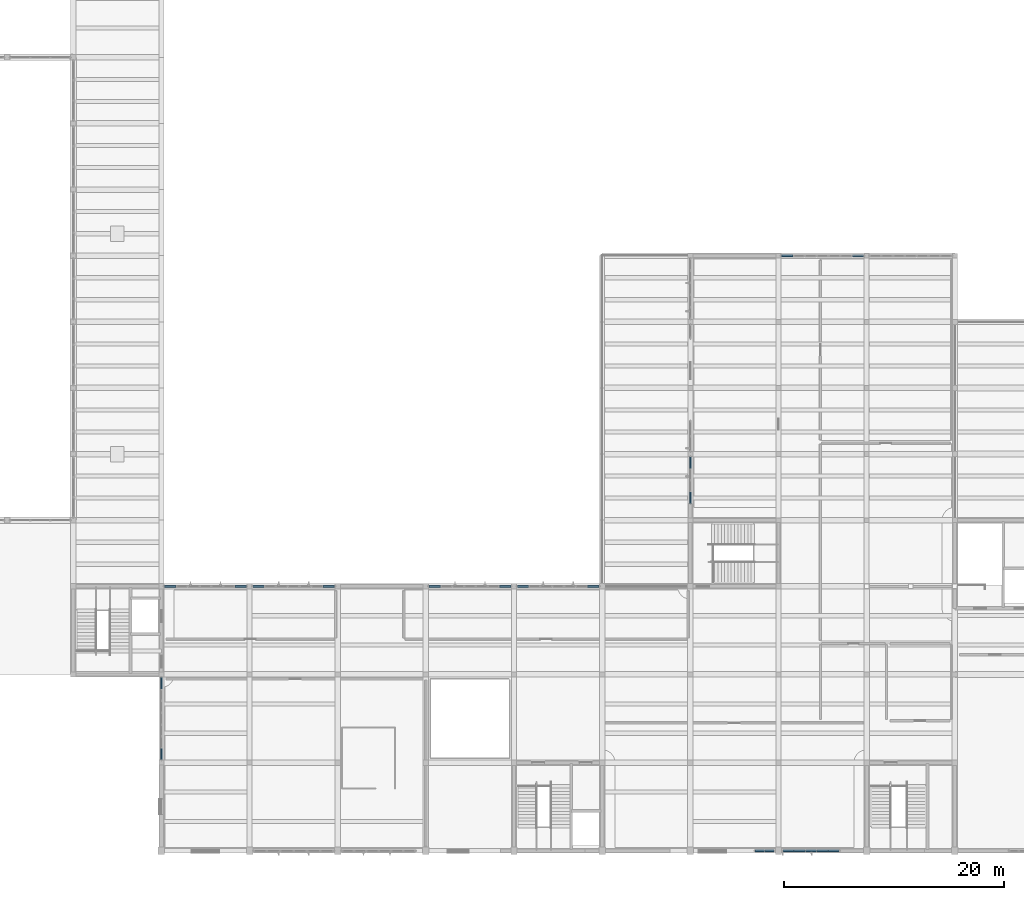
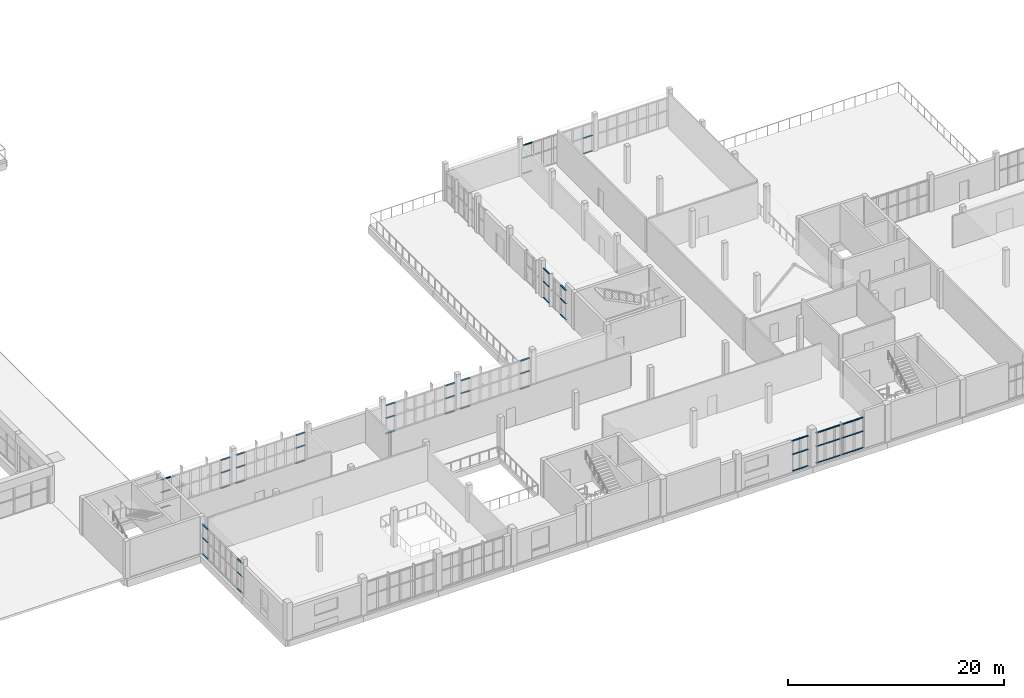
# One storey, part 36 of 70: 62 members, 9 elements without a shape of their own.
"""IFC4 building model written with IfcOpenShell, lengths in metres."""

from ifc_helpers import new_model, si_unit, direction, frame, origin, origin_2d, place, context, subcontext, project, spatial, rectangle, extrude, material, layer, layer_set, material_profile, profile_set, type_object, element, aggregate, save


model = new_model("IFC4")

# Units and contexts
model_context = context("Model", 3, precision=1e-05, world=origin(), true_north=direction((0.0, 1.0)))
body_context = subcontext(model_context, "Body", "Model", "MODEL_VIEW")
ifc_project = project(units=[si_unit("LENGTHUNIT", "METRE"), si_unit("AREAUNIT", "SQUARE_METRE"), si_unit("VOLUMEUNIT", "CUBIC_METRE"), si_unit("PLANEANGLEUNIT", "RADIAN"), si_unit("MASSUNIT", "GRAM", prefix="KILO")], contexts=[model_context])

# Site, building, storey
site_placement = place(None, origin())
site = spatial("IfcSite", under=ifc_project, at=site_placement, CompositionType="ELEMENT")
building_placement = place(site_placement, origin())
building = spatial("IfcBuilding", under=site, at=building_placement, Name="Solvane Community Centre", CompositionType="ELEMENT")
storey_placement = place(building_placement, frame((0.0, 0.0, 9.60009765625)))
storey = spatial("IfcBuildingStorey", under=building, at=storey_placement, Name="L02", CompositionType="ELEMENT", Elevation=9.60009765625)

# Curtain wall, members
ifc_material = material(Name="Anodised bronze aluminium AW-6063 T6", Category="aluminium")
ifc_layer_1 = layer(ifc_material, 0.18994140625)
ifc_layer_set_1 = layer_set([ifc_layer_1], Name="Anodised bronze aluminium AW-6063 T6")
curtain_wall_type_1 = type_object("IfcCurtainWallType", Name="Boulevard Bronze Vision Curtain Wall [52x34dm]", PredefinedType="NOTDEFINED", material=ifc_layer_set_1)
curtain_wall_1_placement = place(storey_placement, origin())
curtain_wall_1 = element("IfcCurtainWall", 1, at=curtain_wall_1_placement, inside=storey, type_object=curtain_wall_type_1, Name="Curtain Wall CW-L02-1295_60-187", PredefinedType="NOTDEFINED")
ifc_material_profile = material_profile(ifc_material, rectangle(XDim=0.14990234375, YDim=0.06005859375, at=origin_2d()), Name="CW-T 60x150")
ifc_profile_set = profile_set([ifc_material_profile], Name="Anodised bronze aluminium AW-6063 T6")
member_type = type_object("IfcMemberType", Name="Boulevard Transom 60x150", PredefinedType="USERDEFINED", material=ifc_profile_set)
member_1_placement = place(storey_placement, frame((129.478515625, 6.0, 0.02978515625), z_axis=(-1.0, 0.0, 0.0), x_axis=(0.0, -1.0, 0.0)))
member_1 = element("IfcMember", 2, at=member_1_placement, type_object=member_type, Name="CW02-52x34 transom 1.1", ObjectType="TRANSOM", PredefinedType="USERDEFINED", context=body_context, shape_type="SweptSolid", body=[
    extrude(rectangle(XDim=0.14990234375, YDim=0.06005859375, at=origin_2d()), origin(), (0.0, 0.0, 1.0), 0.94677734375),
])
member_2_placement = place(storey_placement, frame((129.478515625, 6.0, 1.89501953125), z_axis=(-1.0, 0.0, 0.0), x_axis=(0.0, -1.0, 0.0)))
member_2 = element("IfcMember", 3, at=member_2_placement, type_object=member_type, Name="CW02-52x34 transom 1.2", ObjectType="TRANSOM", PredefinedType="USERDEFINED", context=body_context, shape_type="SweptSolid", body=[
    extrude(rectangle(XDim=0.14990234375, YDim=0.06005859375, at=origin_2d()), origin(), (0.0, 0.0, 1.0), 0.94677734375),
])
member_3_placement = place(storey_placement, frame((129.478515625, 6.0, 3.414794921875), z_axis=(-1.0, 0.0, 0.0), x_axis=(0.0, -1.0, 0.0)))
member_3 = element("IfcMember", 4, at=member_3_placement, type_object=member_type, Name="CW02-52x34 transom 1.3", ObjectType="TRANSOM", PredefinedType="USERDEFINED", context=body_context, shape_type="SweptSolid", body=[
    extrude(rectangle(XDim=0.14990234375, YDim=0.06005859375, at=origin_2d()), origin(), (0.0, 0.0, 1.0), 0.94677734375),
])
member_4_placement = place(storey_placement, frame((128.4716796875, 6.0, 0.02978515625), z_axis=(-1.0, 0.0, 0.0), x_axis=(0.0, -1.0, 0.0)))
member_4 = element("IfcMember", 5, at=member_4_placement, type_object=member_type, Name="CW02-52x34 transom 2.1", ObjectType="TRANSOM", PredefinedType="USERDEFINED", context=body_context, shape_type="SweptSolid", body=[
    extrude(rectangle(XDim=0.14990234375, YDim=0.06005859375, at=origin_2d()), origin(), (0.0, 0.0, 1.0), 0.9765625),
])
member_5_placement = place(storey_placement, frame((128.4716796875, 6.0, 1.89501953125), z_axis=(-1.0, 0.0, 0.0), x_axis=(0.0, -1.0, 0.0)))
member_5 = element("IfcMember", 6, at=member_5_placement, type_object=member_type, Name="CW02-52x34 transom 2.2", ObjectType="TRANSOM", PredefinedType="USERDEFINED", context=body_context, shape_type="SweptSolid", body=[
    extrude(rectangle(XDim=0.14990234375, YDim=0.06005859375, at=origin_2d()), origin(), (0.0, 0.0, 1.0), 0.9765625),
])
member_6_placement = place(storey_placement, frame((128.4716796875, 6.0, 3.414794921875), z_axis=(-1.0, 0.0, 0.0), x_axis=(0.0, -1.0, 0.0)))
member_6 = element("IfcMember", 7, at=member_6_placement, type_object=member_type, Name="CW02-52x34 transom 2.3", ObjectType="TRANSOM", PredefinedType="USERDEFINED", context=body_context, shape_type="SweptSolid", body=[
    extrude(rectangle(XDim=0.14990234375, YDim=0.06005859375, at=origin_2d()), origin(), (0.0, 0.0, 1.0), 0.9765625),
])
member_7_placement = place(storey_placement, frame((127.43505859375, 6.0, 0.02978515625), z_axis=(-1.0, 0.0, 0.0), x_axis=(0.0, -1.0, 0.0)))
member_7 = element("IfcMember", 8, at=member_7_placement, type_object=member_type, Name="CW02-52x34 transom 3.1", ObjectType="TRANSOM", PredefinedType="USERDEFINED", context=body_context, shape_type="SweptSolid", body=[
    extrude(rectangle(XDim=0.14990234375, YDim=0.06005859375, at=origin_2d()), origin(), (0.0, 0.0, 1.0), 0.9765625),
])
member_8_placement = place(storey_placement, frame((127.43505859375, 6.0, 1.89501953125), z_axis=(-1.0, 0.0, 0.0), x_axis=(0.0, -1.0, 0.0)))
member_8 = element("IfcMember", 9, at=member_8_placement, type_object=member_type, Name="CW02-52x34 transom 3.2", ObjectType="TRANSOM", PredefinedType="USERDEFINED", context=body_context, shape_type="SweptSolid", body=[
    extrude(rectangle(XDim=0.14990234375, YDim=0.06005859375, at=origin_2d()), origin(), (0.0, 0.0, 1.0), 0.9765625),
])
member_9_placement = place(storey_placement, frame((127.43505859375, 6.0, 3.414794921875), z_axis=(-1.0, 0.0, 0.0), x_axis=(0.0, -1.0, 0.0)))
member_9 = element("IfcMember", 10, at=member_9_placement, type_object=member_type, Name="CW02-52x34 transom 3.3", ObjectType="TRANSOM", PredefinedType="USERDEFINED", context=body_context, shape_type="SweptSolid", body=[
    extrude(rectangle(XDim=0.14990234375, YDim=0.06005859375, at=origin_2d()), origin(), (0.0, 0.0, 1.0), 0.9765625),
])
member_10_placement = place(storey_placement, frame((126.3984375, 6.0, 0.02978515625), z_axis=(-1.0, 0.0, 0.0), x_axis=(0.0, -1.0, 0.0)))
member_10 = element("IfcMember", 11, at=member_10_placement, type_object=member_type, Name="CW02-52x34 transom 4.1", ObjectType="TRANSOM", PredefinedType="USERDEFINED", context=body_context, shape_type="SweptSolid", body=[
    extrude(rectangle(XDim=0.14990234375, YDim=0.06005859375, at=origin_2d()), origin(), (0.0, 0.0, 1.0), 0.976806640625),
])
member_11_placement = place(storey_placement, frame((126.3984375, 6.0, 1.89501953125), z_axis=(-1.0, 0.0, 0.0), x_axis=(0.0, -1.0, 0.0)))
member_11 = element("IfcMember", 12, at=member_11_placement, type_object=member_type, Name="CW02-52x34 transom 4.2", ObjectType="TRANSOM", PredefinedType="USERDEFINED", context=body_context, shape_type="SweptSolid", body=[
    extrude(rectangle(XDim=0.14990234375, YDim=0.06005859375, at=origin_2d()), origin(), (0.0, 0.0, 1.0), 0.976806640625),
])
member_12_placement = place(storey_placement, frame((126.3984375, 6.0, 3.414794921875), z_axis=(-1.0, 0.0, 0.0), x_axis=(0.0, -1.0, 0.0)))
member_12 = element("IfcMember", 13, at=member_12_placement, type_object=member_type, Name="CW02-52x34 transom 4.3", ObjectType="TRANSOM", PredefinedType="USERDEFINED", context=body_context, shape_type="SweptSolid", body=[
    extrude(rectangle(XDim=0.14990234375, YDim=0.06005859375, at=origin_2d()), origin(), (0.0, 0.0, 1.0), 0.976806640625),
])
member_13_placement = place(storey_placement, frame((125.36181640625, 6.0, 0.02978515625), z_axis=(-1.0, 0.0, 0.0), x_axis=(0.0, -1.0, 0.0)))
member_13 = element("IfcMember", 14, at=member_13_placement, type_object=member_type, Name="CW02-52x34 transom 5.1", ObjectType="TRANSOM", PredefinedType="USERDEFINED", context=body_context, shape_type="SweptSolid", body=[
    extrude(rectangle(XDim=0.14990234375, YDim=0.06005859375, at=origin_2d()), origin(), (0.0, 0.0, 1.0), 0.94677734375),
])
member_14_placement = place(storey_placement, frame((125.36181640625, 6.0, 1.89501953125), z_axis=(-1.0, 0.0, 0.0), x_axis=(0.0, -1.0, 0.0)))
member_14 = element("IfcMember", 15, at=member_14_placement, type_object=member_type, Name="CW02-52x34 transom 5.2", ObjectType="TRANSOM", PredefinedType="USERDEFINED", context=body_context, shape_type="SweptSolid", body=[
    extrude(rectangle(XDim=0.14990234375, YDim=0.06005859375, at=origin_2d()), origin(), (0.0, 0.0, 1.0), 0.94677734375),
])
member_15_placement = place(storey_placement, frame((125.36181640625, 6.0, 3.414794921875), z_axis=(-1.0, 0.0, 0.0), x_axis=(0.0, -1.0, 0.0)))
member_15 = element("IfcMember", 16, at=member_15_placement, type_object=member_type, Name="CW02-52x34 transom 5.3", ObjectType="TRANSOM", PredefinedType="USERDEFINED", context=body_context, shape_type="SweptSolid", body=[
    extrude(rectangle(XDim=0.14990234375, YDim=0.06005859375, at=origin_2d()), origin(), (0.0, 0.0, 1.0), 0.94677734375),
])
aggregate(curtain_wall_1, [member_1, member_2, member_3, member_4, member_5, member_6, member_7, member_8, member_9, member_10, member_11, member_12, member_13, member_14, member_15])

ifc_layer_2 = layer(ifc_material, 0.18994140625)
ifc_layer_set_2 = layer_set([ifc_layer_2], Name="Anodised bronze aluminium AW-6063 T6")
curtain_wall_type_2 = type_object("IfcCurtainWallType", Name="Boulevard Bronze Vision Curtain Wall [18x34dm]", PredefinedType="NOTDEFINED", material=ifc_layer_set_2)
curtain_wall_2_placement = place(storey_placement, origin())
curtain_wall_2 = element("IfcCurtainWall", 17, at=curtain_wall_2_placement, inside=storey, type_object=curtain_wall_type_2, Name="Curtain Wall CW-L02-1236_60-188", PredefinedType="NOTDEFINED")
member_16_placement = place(storey_placement, frame((123.5849609375, 6.0, 0.02978515625), z_axis=(-1.0, 0.0, 0.0), x_axis=(0.0, -1.0, 0.0)))
member_16 = element("IfcMember", 18, at=member_16_placement, type_object=member_type, Name="CW02-18x34 transom 1.1", ObjectType="TRANSOM", PredefinedType="USERDEFINED", context=body_context, shape_type="SweptSolid", body=[
    extrude(rectangle(XDim=0.14990234375, YDim=0.06005859375, at=origin_2d()), origin(), (0.0, 0.0, 1.0), 0.809326171875),
])
member_17_placement = place(storey_placement, frame((123.5849609375, 6.0, 1.89501953125), z_axis=(-1.0, 0.0, 0.0), x_axis=(0.0, -1.0, 0.0)))
member_17 = element("IfcMember", 19, at=member_17_placement, type_object=member_type, Name="CW02-18x34 transom 1.2", ObjectType="TRANSOM", PredefinedType="USERDEFINED", context=body_context, shape_type="SweptSolid", body=[
    extrude(rectangle(XDim=0.14990234375, YDim=0.06005859375, at=origin_2d()), origin(), (0.0, 0.0, 1.0), 0.809326171875),
])
member_18_placement = place(storey_placement, frame((123.5849609375, 6.0, 3.414794921875), z_axis=(-1.0, 0.0, 0.0), x_axis=(0.0, -1.0, 0.0)))
member_18 = element("IfcMember", 20, at=member_18_placement, type_object=member_type, Name="CW02-18x34 transom 1.3", ObjectType="TRANSOM", PredefinedType="USERDEFINED", context=body_context, shape_type="SweptSolid", body=[
    extrude(rectangle(XDim=0.14990234375, YDim=0.06005859375, at=origin_2d()), origin(), (0.0, 0.0, 1.0), 0.809326171875),
])
member_19_placement = place(storey_placement, frame((122.715576171875, 6.0, 0.02978515625), z_axis=(-1.0, 0.0, 0.0), x_axis=(0.0, -1.0, 0.0)))
member_19 = element("IfcMember", 21, at=member_19_placement, type_object=member_type, Name="CW02-18x34 transom 2.1", ObjectType="TRANSOM", PredefinedType="USERDEFINED", context=body_context, shape_type="SweptSolid", body=[
    extrude(rectangle(XDim=0.14990234375, YDim=0.06005859375, at=origin_2d()), origin(), (0.0, 0.0, 1.0), 0.809326171875),
])
member_20_placement = place(storey_placement, frame((122.715576171875, 6.0, 1.89501953125), z_axis=(-1.0, 0.0, 0.0), x_axis=(0.0, -1.0, 0.0)))
member_20 = element("IfcMember", 22, at=member_20_placement, type_object=member_type, Name="CW02-18x34 transom 2.2", ObjectType="TRANSOM", PredefinedType="USERDEFINED", context=body_context, shape_type="SweptSolid", body=[
    extrude(rectangle(XDim=0.14990234375, YDim=0.06005859375, at=origin_2d()), origin(), (0.0, 0.0, 1.0), 0.809326171875),
])
member_21_placement = place(storey_placement, frame((122.715576171875, 6.0, 3.414794921875), z_axis=(-1.0, 0.0, 0.0), x_axis=(0.0, -1.0, 0.0)))
member_21 = element("IfcMember", 23, at=member_21_placement, type_object=member_type, Name="CW02-18x34 transom 2.3", ObjectType="TRANSOM", PredefinedType="USERDEFINED", context=body_context, shape_type="SweptSolid", body=[
    extrude(rectangle(XDim=0.14990234375, YDim=0.06005859375, at=origin_2d()), origin(), (0.0, 0.0, 1.0), 0.809326171875),
])
aggregate(curtain_wall_2, [member_16, member_17, member_18, member_19, member_20, member_21])

ifc_layer_3 = layer(ifc_material, 0.18994140625)
ifc_layer_set_3 = layer_set([ifc_layer_3], Name="Anodised bronze aluminium AW-6063 T6")
curtain_wall_type_3 = type_object("IfcCurtainWallType", Name="Boulevard Bronze Vision Curtain Wall [75x34dm]", PredefinedType="NOTDEFINED", material=ifc_layer_set_3)
curtain_wall_3_placement = place(storey_placement, origin())
curtain_wall_3 = element("IfcCurtainWall", 24, at=curtain_wall_3_placement, inside=storey, type_object=curtain_wall_type_3, Name="Curtain Wall CW-L02-680_142-191", PredefinedType="NOTDEFINED")
member_22_placement = place(storey_placement, frame((68.0, 14.294921875, 0.02978515625), z_axis=(0.0, 1.0, 0.0), x_axis=(-1.0, 0.0, 0.0)))
member_22 = element("IfcMember", 25, at=member_22_placement, type_object=member_type, Name="CW02-75x34 transom 1.1", ObjectType="TRANSOM", PredefinedType="USERDEFINED", context=body_context, shape_type="SweptSolid", body=[
    extrude(rectangle(XDim=0.14990234375, YDim=0.06005859375, at=origin_2d()), origin(), (0.0, 0.0, 1.0), 0.98291015625),
])
member_23_placement = place(storey_placement, frame((68.0, 14.294921875, 1.850830078125), z_axis=(0.0, 1.0, 0.0), x_axis=(-1.0, 0.0, 0.0)))
member_23 = element("IfcMember", 26, at=member_23_placement, type_object=member_type, Name="CW02-75x34 transom 1.2", ObjectType="TRANSOM", PredefinedType="USERDEFINED", context=body_context, shape_type="SweptSolid", body=[
    extrude(rectangle(XDim=0.14990234375, YDim=0.06005859375, at=origin_2d()), origin(), (0.0, 0.0, 1.0), 0.98291015625),
])
member_24_placement = place(storey_placement, frame((68.0, 14.294921875, 3.3349609375), z_axis=(0.0, 1.0, 0.0), x_axis=(-1.0, 0.0, 0.0)))
member_24 = element("IfcMember", 27, at=member_24_placement, type_object=member_type, Name="CW02-75x34 transom 1.3", ObjectType="TRANSOM", PredefinedType="USERDEFINED", context=body_context, shape_type="SweptSolid", body=[
    extrude(rectangle(XDim=0.14990234375, YDim=0.06005859375, at=origin_2d()), origin(), (0.0, 0.0, 1.0), 0.98291015625),
])
member_25_placement = place(storey_placement, frame((68.0, 20.7021484375, 0.02978515625), z_axis=(0.0, 1.0, 0.0), x_axis=(-1.0, 0.0, 0.0)))
member_25 = element("IfcMember", 28, at=member_25_placement, type_object=member_type, Name="CW02-75x34 transom 7.1", ObjectType="TRANSOM", PredefinedType="USERDEFINED", context=body_context, shape_type="SweptSolid", body=[
    extrude(rectangle(XDim=0.14990234375, YDim=0.06005859375, at=origin_2d()), origin(), (0.0, 0.0, 1.0), 0.98291015625),
])
member_26_placement = place(storey_placement, frame((68.0, 20.7021484375, 1.850830078125), z_axis=(0.0, 1.0, 0.0), x_axis=(-1.0, 0.0, 0.0)))
member_26 = element("IfcMember", 29, at=member_26_placement, type_object=member_type, Name="CW02-75x34 transom 7.2", ObjectType="TRANSOM", PredefinedType="USERDEFINED", context=body_context, shape_type="SweptSolid", body=[
    extrude(rectangle(XDim=0.14990234375, YDim=0.06005859375, at=origin_2d()), origin(), (0.0, 0.0, 1.0), 0.98291015625),
])
member_27_placement = place(storey_placement, frame((68.0, 20.7021484375, 3.3349609375), z_axis=(0.0, 1.0, 0.0), x_axis=(-1.0, 0.0, 0.0)))
member_27 = element("IfcMember", 30, at=member_27_placement, type_object=member_type, Name="CW02-75x34 transom 7.3", ObjectType="TRANSOM", PredefinedType="USERDEFINED", context=body_context, shape_type="SweptSolid", body=[
    extrude(rectangle(XDim=0.14990234375, YDim=0.06005859375, at=origin_2d()), origin(), (0.0, 0.0, 1.0), 0.98291015625),
])
aggregate(curtain_wall_3, [member_22, member_23, member_24, member_25, member_26, member_27])

ifc_layer_4 = layer(ifc_material, 0.18994140625)
ifc_layer_set_4 = layer_set([ifc_layer_4], Name="Anodised bronze aluminium AW-6063 T6")
curtain_wall_type_4 = type_object("IfcCurtainWallType", Name="Boulevard Bronze Vision Curtain Wall [75x32dm]", PredefinedType="NOTDEFINED", material=ifc_layer_set_4)
curtain_wall_4_placement = place(storey_placement, origin())
curtain_wall_4 = element("IfcCurtainWall", 31, at=curtain_wall_4_placement, inside=storey, type_object=curtain_wall_type_4, Name="Curtain Wall CW-L02-683_300-192", PredefinedType="NOTDEFINED")
member_28_placement = place(storey_placement, frame((68.31494140625, 30.0, 0.02978515625), z_axis=(1.0, 0.0, 0.0), x_axis=(0.0, 1.0, 0.0)))
member_28 = element("IfcMember", 32, at=member_28_placement, type_object=member_type, Name="CW02-75x32 transom 1.1", ObjectType="TRANSOM", PredefinedType="USERDEFINED", context=body_context, shape_type="SweptSolid", body=[
    extrude(rectangle(XDim=0.14990234375, YDim=0.06005859375, at=origin_2d()), origin(), (0.0, 0.0, 1.0), 0.97998046875),
])
member_29_placement = place(storey_placement, frame((68.31494140625, 30.0, 1.784912109375), z_axis=(1.0, 0.0, 0.0), x_axis=(0.0, 1.0, 0.0)))
member_29 = element("IfcMember", 33, at=member_29_placement, type_object=member_type, Name="CW02-75x32 transom 1.2", ObjectType="TRANSOM", PredefinedType="USERDEFINED", context=body_context, shape_type="SweptSolid", body=[
    extrude(rectangle(XDim=0.14990234375, YDim=0.06005859375, at=origin_2d()), origin(), (0.0, 0.0, 1.0), 0.97998046875),
])
member_30_placement = place(storey_placement, frame((68.31494140625, 30.0, 3.21484375), z_axis=(1.0, 0.0, 0.0), x_axis=(0.0, 1.0, 0.0)))
member_30 = element("IfcMember", 34, at=member_30_placement, type_object=member_type, Name="CW02-75x32 transom 1.3", ObjectType="TRANSOM", PredefinedType="USERDEFINED", context=body_context, shape_type="SweptSolid", body=[
    extrude(rectangle(XDim=0.14990234375, YDim=0.06005859375, at=origin_2d()), origin(), (0.0, 0.0, 1.0), 0.97998046875),
])
member_31_placement = place(storey_placement, frame((74.705078125, 30.0, 0.02978515625), z_axis=(1.0, 0.0, 0.0), x_axis=(0.0, 1.0, 0.0)))
member_31 = element("IfcMember", 35, at=member_31_placement, type_object=member_type, Name="CW02-75x32 transom 7.1", ObjectType="TRANSOM", PredefinedType="USERDEFINED", context=body_context, shape_type="SweptSolid", body=[
    extrude(rectangle(XDim=0.14990234375, YDim=0.06005859375, at=origin_2d()), origin(), (0.0, 0.0, 1.0), 0.97998046875),
])
member_32_placement = place(storey_placement, frame((74.705078125, 30.0, 1.784912109375), z_axis=(1.0, 0.0, 0.0), x_axis=(0.0, 1.0, 0.0)))
member_32 = element("IfcMember", 36, at=member_32_placement, type_object=member_type, Name="CW02-75x32 transom 7.2", ObjectType="TRANSOM", PredefinedType="USERDEFINED", context=body_context, shape_type="SweptSolid", body=[
    extrude(rectangle(XDim=0.14990234375, YDim=0.06005859375, at=origin_2d()), origin(), (0.0, 0.0, 1.0), 0.97998046875),
])
member_33_placement = place(storey_placement, frame((74.705078125, 30.0, 3.21484375), z_axis=(1.0, 0.0, 0.0), x_axis=(0.0, 1.0, 0.0)))
member_33 = element("IfcMember", 37, at=member_33_placement, type_object=member_type, Name="CW02-75x32 transom 7.3", ObjectType="TRANSOM", PredefinedType="USERDEFINED", context=body_context, shape_type="SweptSolid", body=[
    extrude(rectangle(XDim=0.14990234375, YDim=0.06005859375, at=origin_2d()), origin(), (0.0, 0.0, 1.0), 0.97998046875),
])
aggregate(curtain_wall_4, [member_28, member_29, member_30, member_31, member_32, member_33])

curtain_wall_5_placement = place(storey_placement, origin())
curtain_wall_5 = element("IfcCurtainWall", 38, at=curtain_wall_5_placement, inside=storey, type_object=curtain_wall_type_4, Name="Curtain Wall CW-L02-763_300-193", PredefinedType="NOTDEFINED")
member_34_placement = place(storey_placement, frame((76.31494140625, 30.0, 0.02978515625), z_axis=(1.0, 0.0, 0.0), x_axis=(0.0, 1.0, 0.0)))
member_34 = element("IfcMember", 39, at=member_34_placement, type_object=member_type, Name="CW02-75x32 transom 1.1", ObjectType="TRANSOM", PredefinedType="USERDEFINED", context=body_context, shape_type="SweptSolid", body=[
    extrude(rectangle(XDim=0.14990234375, YDim=0.06005859375, at=origin_2d()), origin(), (0.0, 0.0, 1.0), 0.97998046875),
])
member_35_placement = place(storey_placement, frame((76.31494140625, 30.0, 1.784912109375), z_axis=(1.0, 0.0, 0.0), x_axis=(0.0, 1.0, 0.0)))
member_35 = element("IfcMember", 40, at=member_35_placement, type_object=member_type, Name="CW02-75x32 transom 1.2", ObjectType="TRANSOM", PredefinedType="USERDEFINED", context=body_context, shape_type="SweptSolid", body=[
    extrude(rectangle(XDim=0.14990234375, YDim=0.06005859375, at=origin_2d()), origin(), (0.0, 0.0, 1.0), 0.97998046875),
])
member_36_placement = place(storey_placement, frame((76.31494140625, 30.0, 3.21484375), z_axis=(1.0, 0.0, 0.0), x_axis=(0.0, 1.0, 0.0)))
member_36 = element("IfcMember", 41, at=member_36_placement, type_object=member_type, Name="CW02-75x32 transom 1.3", ObjectType="TRANSOM", PredefinedType="USERDEFINED", context=body_context, shape_type="SweptSolid", body=[
    extrude(rectangle(XDim=0.14990234375, YDim=0.06005859375, at=origin_2d()), origin(), (0.0, 0.0, 1.0), 0.97998046875),
])
member_37_placement = place(storey_placement, frame((82.705078125, 30.0, 0.02978515625), z_axis=(1.0, 0.0, 0.0), x_axis=(0.0, 1.0, 0.0)))
member_37 = element("IfcMember", 42, at=member_37_placement, type_object=member_type, Name="CW02-75x32 transom 7.1", ObjectType="TRANSOM", PredefinedType="USERDEFINED", context=body_context, shape_type="SweptSolid", body=[
    extrude(rectangle(XDim=0.14990234375, YDim=0.06005859375, at=origin_2d()), origin(), (0.0, 0.0, 1.0), 0.97998046875),
])
member_38_placement = place(storey_placement, frame((82.705078125, 30.0, 1.784912109375), z_axis=(1.0, 0.0, 0.0), x_axis=(0.0, 1.0, 0.0)))
member_38 = element("IfcMember", 43, at=member_38_placement, type_object=member_type, Name="CW02-75x32 transom 7.2", ObjectType="TRANSOM", PredefinedType="USERDEFINED", context=body_context, shape_type="SweptSolid", body=[
    extrude(rectangle(XDim=0.14990234375, YDim=0.06005859375, at=origin_2d()), origin(), (0.0, 0.0, 1.0), 0.97998046875),
])
member_39_placement = place(storey_placement, frame((82.705078125, 30.0, 3.21484375), z_axis=(1.0, 0.0, 0.0), x_axis=(0.0, 1.0, 0.0)))
member_39 = element("IfcMember", 44, at=member_39_placement, type_object=member_type, Name="CW02-75x32 transom 7.3", ObjectType="TRANSOM", PredefinedType="USERDEFINED", context=body_context, shape_type="SweptSolid", body=[
    extrude(rectangle(XDim=0.14990234375, YDim=0.06005859375, at=origin_2d()), origin(), (0.0, 0.0, 1.0), 0.97998046875),
])
aggregate(curtain_wall_5, [member_34, member_35, member_36, member_37, member_38, member_39])

curtain_wall_6_placement = place(storey_placement, origin())
curtain_wall_6 = element("IfcCurtainWall", 45, at=curtain_wall_6_placement, inside=storey, type_object=curtain_wall_type_4, Name="Curtain Wall CW-L02-923_300-194", PredefinedType="NOTDEFINED")
member_40_placement = place(storey_placement, frame((92.31494140625, 30.0, 0.02978515625), z_axis=(1.0, 0.0, 0.0), x_axis=(0.0, 1.0, 0.0)))
member_40 = element("IfcMember", 46, at=member_40_placement, type_object=member_type, Name="CW02-75x32 transom 1.1", ObjectType="TRANSOM", PredefinedType="USERDEFINED", context=body_context, shape_type="SweptSolid", body=[
    extrude(rectangle(XDim=0.14990234375, YDim=0.06005859375, at=origin_2d()), origin(), (0.0, 0.0, 1.0), 0.97998046875),
])
member_41_placement = place(storey_placement, frame((92.31494140625, 30.0, 1.784912109375), z_axis=(1.0, 0.0, 0.0), x_axis=(0.0, 1.0, 0.0)))
member_41 = element("IfcMember", 47, at=member_41_placement, type_object=member_type, Name="CW02-75x32 transom 1.2", ObjectType="TRANSOM", PredefinedType="USERDEFINED", context=body_context, shape_type="SweptSolid", body=[
    extrude(rectangle(XDim=0.14990234375, YDim=0.06005859375, at=origin_2d()), origin(), (0.0, 0.0, 1.0), 0.97998046875),
])
member_42_placement = place(storey_placement, frame((92.31494140625, 30.0, 3.21484375), z_axis=(1.0, 0.0, 0.0), x_axis=(0.0, 1.0, 0.0)))
member_42 = element("IfcMember", 48, at=member_42_placement, type_object=member_type, Name="CW02-75x32 transom 1.3", ObjectType="TRANSOM", PredefinedType="USERDEFINED", context=body_context, shape_type="SweptSolid", body=[
    extrude(rectangle(XDim=0.14990234375, YDim=0.06005859375, at=origin_2d()), origin(), (0.0, 0.0, 1.0), 0.97998046875),
])
member_43_placement = place(storey_placement, frame((98.705078125, 30.0, 0.02978515625), z_axis=(1.0, 0.0, 0.0), x_axis=(0.0, 1.0, 0.0)))
member_43 = element("IfcMember", 49, at=member_43_placement, type_object=member_type, Name="CW02-75x32 transom 7.1", ObjectType="TRANSOM", PredefinedType="USERDEFINED", context=body_context, shape_type="SweptSolid", body=[
    extrude(rectangle(XDim=0.14990234375, YDim=0.06005859375, at=origin_2d()), origin(), (0.0, 0.0, 1.0), 0.97998046875),
])
member_44_placement = place(storey_placement, frame((98.705078125, 30.0, 1.784912109375), z_axis=(1.0, 0.0, 0.0), x_axis=(0.0, 1.0, 0.0)))
member_44 = element("IfcMember", 50, at=member_44_placement, type_object=member_type, Name="CW02-75x32 transom 7.2", ObjectType="TRANSOM", PredefinedType="USERDEFINED", context=body_context, shape_type="SweptSolid", body=[
    extrude(rectangle(XDim=0.14990234375, YDim=0.06005859375, at=origin_2d()), origin(), (0.0, 0.0, 1.0), 0.97998046875),
])
member_45_placement = place(storey_placement, frame((98.705078125, 30.0, 3.21484375), z_axis=(1.0, 0.0, 0.0), x_axis=(0.0, 1.0, 0.0)))
member_45 = element("IfcMember", 51, at=member_45_placement, type_object=member_type, Name="CW02-75x32 transom 7.3", ObjectType="TRANSOM", PredefinedType="USERDEFINED", context=body_context, shape_type="SweptSolid", body=[
    extrude(rectangle(XDim=0.14990234375, YDim=0.06005859375, at=origin_2d()), origin(), (0.0, 0.0, 1.0), 0.97998046875),
])
aggregate(curtain_wall_6, [member_40, member_41, member_42, member_43, member_44, member_45])

curtain_wall_7_placement = place(storey_placement, origin())
curtain_wall_7 = element("IfcCurtainWall", 52, at=curtain_wall_7_placement, inside=storey, type_object=curtain_wall_type_4, Name="Curtain Wall CW-L02-1003_300-195", PredefinedType="NOTDEFINED")
member_46_placement = place(storey_placement, frame((100.31494140625, 30.0, 0.02978515625), z_axis=(1.0, 0.0, 0.0), x_axis=(0.0, 1.0, 0.0)))
member_46 = element("IfcMember", 53, at=member_46_placement, type_object=member_type, Name="CW02-75x32 transom 1.1", ObjectType="TRANSOM", PredefinedType="USERDEFINED", context=body_context, shape_type="SweptSolid", body=[
    extrude(rectangle(XDim=0.14990234375, YDim=0.06005859375, at=origin_2d()), origin(), (0.0, 0.0, 1.0), 0.97998046875),
])
member_47_placement = place(storey_placement, frame((100.31494140625, 30.0, 1.784912109375), z_axis=(1.0, 0.0, 0.0), x_axis=(0.0, 1.0, 0.0)))
member_47 = element("IfcMember", 54, at=member_47_placement, type_object=member_type, Name="CW02-75x32 transom 1.2", ObjectType="TRANSOM", PredefinedType="USERDEFINED", context=body_context, shape_type="SweptSolid", body=[
    extrude(rectangle(XDim=0.14990234375, YDim=0.06005859375, at=origin_2d()), origin(), (0.0, 0.0, 1.0), 0.97998046875),
])
member_48_placement = place(storey_placement, frame((100.31494140625, 30.0, 3.21484375), z_axis=(1.0, 0.0, 0.0), x_axis=(0.0, 1.0, 0.0)))
member_48 = element("IfcMember", 55, at=member_48_placement, type_object=member_type, Name="CW02-75x32 transom 1.3", ObjectType="TRANSOM", PredefinedType="USERDEFINED", context=body_context, shape_type="SweptSolid", body=[
    extrude(rectangle(XDim=0.14990234375, YDim=0.06005859375, at=origin_2d()), origin(), (0.0, 0.0, 1.0), 0.97998046875),
])
member_49_placement = place(storey_placement, frame((106.705078125, 30.0, 0.02978515625), z_axis=(1.0, 0.0, 0.0), x_axis=(0.0, 1.0, 0.0)))
member_49 = element("IfcMember", 56, at=member_49_placement, type_object=member_type, Name="CW02-75x32 transom 7.1", ObjectType="TRANSOM", PredefinedType="USERDEFINED", context=body_context, shape_type="SweptSolid", body=[
    extrude(rectangle(XDim=0.14990234375, YDim=0.06005859375, at=origin_2d()), origin(), (0.0, 0.0, 1.0), 0.97998046875),
])
member_50_placement = place(storey_placement, frame((106.705078125, 30.0, 1.784912109375), z_axis=(1.0, 0.0, 0.0), x_axis=(0.0, 1.0, 0.0)))
member_50 = element("IfcMember", 57, at=member_50_placement, type_object=member_type, Name="CW02-75x32 transom 7.2", ObjectType="TRANSOM", PredefinedType="USERDEFINED", context=body_context, shape_type="SweptSolid", body=[
    extrude(rectangle(XDim=0.14990234375, YDim=0.06005859375, at=origin_2d()), origin(), (0.0, 0.0, 1.0), 0.97998046875),
])
member_51_placement = place(storey_placement, frame((106.705078125, 30.0, 3.21484375), z_axis=(1.0, 0.0, 0.0), x_axis=(0.0, 1.0, 0.0)))
member_51 = element("IfcMember", 58, at=member_51_placement, type_object=member_type, Name="CW02-75x32 transom 7.3", ObjectType="TRANSOM", PredefinedType="USERDEFINED", context=body_context, shape_type="SweptSolid", body=[
    extrude(rectangle(XDim=0.14990234375, YDim=0.06005859375, at=origin_2d()), origin(), (0.0, 0.0, 1.0), 0.97998046875),
])
aggregate(curtain_wall_7, [member_46, member_47, member_48, member_49, member_50, member_51])

ifc_layer_5 = layer(ifc_material, 0.18994140625)
ifc_layer_set_5 = layer_set([ifc_layer_5], Name="Anodised bronze aluminium AW-6063 T6")
curtain_wall_type_5 = type_object("IfcCurtainWallType", Name="Boulevard Bronze Vision Curtain Wall [43x33dm]", PredefinedType="NOTDEFINED", material=ifc_layer_set_5)
curtain_wall_8_placement = place(storey_placement, origin())
curtain_wall_8 = element("IfcCurtainWall", 59, at=curtain_wall_8_placement, inside=storey, type_object=curtain_wall_type_5, Name="Curtain Wall CW-L02-1160_375-196", PredefinedType="NOTDEFINED")
member_52_placement = place(storey_placement, frame((116.0, 37.56005859375, 0.02978515625), z_axis=(0.0, 1.0, 0.0), x_axis=(-1.0, 0.0, 0.0)))
member_52 = element("IfcMember", 60, at=member_52_placement, type_object=member_type, Name="CW02-43x33 transom 1.1", ObjectType="TRANSOM", PredefinedType="USERDEFINED", context=body_context, shape_type="SweptSolid", body=[
    extrude(rectangle(XDim=0.14990234375, YDim=0.06005859375, at=origin_2d()), origin(), (0.0, 0.0, 1.0), 0.97607421875),
])
member_53_placement = place(storey_placement, frame((116.0, 37.56005859375, 1.83984375), z_axis=(0.0, 1.0, 0.0), x_axis=(-1.0, 0.0, 0.0)))
member_53 = element("IfcMember", 61, at=member_53_placement, type_object=member_type, Name="CW02-43x33 transom 1.2", ObjectType="TRANSOM", PredefinedType="USERDEFINED", context=body_context, shape_type="SweptSolid", body=[
    extrude(rectangle(XDim=0.14990234375, YDim=0.06005859375, at=origin_2d()), origin(), (0.0, 0.0, 1.0), 0.97607421875),
])
member_54_placement = place(storey_placement, frame((116.0, 37.56005859375, 3.31494140625), z_axis=(0.0, 1.0, 0.0), x_axis=(-1.0, 0.0, 0.0)))
member_54 = element("IfcMember", 62, at=member_54_placement, type_object=member_type, Name="CW02-43x33 transom 1.3", ObjectType="TRANSOM", PredefinedType="USERDEFINED", context=body_context, shape_type="SweptSolid", body=[
    extrude(rectangle(XDim=0.14990234375, YDim=0.06005859375, at=origin_2d()), origin(), (0.0, 0.0, 1.0), 0.97607421875),
])
member_55_placement = place(storey_placement, frame((116.0, 40.728759765625, 0.02978515625), z_axis=(0.0, 1.0, 0.0), x_axis=(-1.0, 0.0, 0.0)))
member_55 = element("IfcMember", 63, at=member_55_placement, type_object=member_type, Name="CW02-43x33 transom 4.1", ObjectType="TRANSOM", PredefinedType="USERDEFINED", context=body_context, shape_type="SweptSolid", body=[
    extrude(rectangle(XDim=0.14990234375, YDim=0.06005859375, at=origin_2d()), origin(), (0.0, 0.0, 1.0), 0.976318359375),
])
member_56_placement = place(storey_placement, frame((116.0, 40.728759765625, 1.83984375), z_axis=(0.0, 1.0, 0.0), x_axis=(-1.0, 0.0, 0.0)))
member_56 = element("IfcMember", 64, at=member_56_placement, type_object=member_type, Name="CW02-43x33 transom 4.2", ObjectType="TRANSOM", PredefinedType="USERDEFINED", context=body_context, shape_type="SweptSolid", body=[
    extrude(rectangle(XDim=0.14990234375, YDim=0.06005859375, at=origin_2d()), origin(), (0.0, 0.0, 1.0), 0.976318359375),
])
member_57_placement = place(storey_placement, frame((116.0, 40.728759765625, 3.31494140625), z_axis=(0.0, 1.0, 0.0), x_axis=(-1.0, 0.0, 0.0)))
member_57 = element("IfcMember", 65, at=member_57_placement, type_object=member_type, Name="CW02-43x33 transom 4.3", ObjectType="TRANSOM", PredefinedType="USERDEFINED", context=body_context, shape_type="SweptSolid", body=[
    extrude(rectangle(XDim=0.14990234375, YDim=0.06005859375, at=origin_2d()), origin(), (0.0, 0.0, 1.0), 0.976318359375),
])
aggregate(curtain_wall_8, [member_52, member_53, member_54, member_55, member_56, member_57])

curtain_wall_9_placement = place(storey_placement, origin())
curtain_wall_9 = element("IfcCurtainWall", 66, at=curtain_wall_9_placement, inside=storey, type_object=curtain_wall_type_4, Name="Curtain Wall CW-L02-1242_600-200", PredefinedType="NOTDEFINED")
member_58_placement = place(storey_placement, frame((124.294921875, 60.0, 0.02978515625), z_axis=(1.0, 0.0, 0.0), x_axis=(0.0, 1.0, 0.0)))
member_58 = element("IfcMember", 67, at=member_58_placement, type_object=member_type, Name="CW02-75x32 transom 1.1", ObjectType="TRANSOM", PredefinedType="USERDEFINED", context=body_context, shape_type="SweptSolid", body=[
    extrude(rectangle(XDim=0.14990234375, YDim=0.06005859375, at=origin_2d()), origin(), (0.0, 0.0, 1.0), 0.98583984375),
])
member_59_placement = place(storey_placement, frame((124.294921875, 60.0, 1.784912109375), z_axis=(1.0, 0.0, 0.0), x_axis=(0.0, 1.0, 0.0)))
member_59 = element("IfcMember", 68, at=member_59_placement, type_object=member_type, Name="CW02-75x32 transom 1.2", ObjectType="TRANSOM", PredefinedType="USERDEFINED", context=body_context, shape_type="SweptSolid", body=[
    extrude(rectangle(XDim=0.14990234375, YDim=0.06005859375, at=origin_2d()), origin(), (0.0, 0.0, 1.0), 0.98583984375),
])
member_60_placement = place(storey_placement, frame((124.294921875, 60.0, 3.21484375), z_axis=(1.0, 0.0, 0.0), x_axis=(0.0, 1.0, 0.0)))
member_60 = element("IfcMember", 69, at=member_60_placement, type_object=member_type, Name="CW02-75x32 transom 1.3", ObjectType="TRANSOM", PredefinedType="USERDEFINED", context=body_context, shape_type="SweptSolid", body=[
    extrude(rectangle(XDim=0.14990234375, YDim=0.06005859375, at=origin_2d()), origin(), (0.0, 0.0, 1.0), 0.98583984375),
])
member_61_placement = place(storey_placement, frame((130.71923828125, 60.0, 0.02978515625), z_axis=(1.0, 0.0, 0.0), x_axis=(0.0, 1.0, 0.0)))
member_61 = element("IfcMember", 70, at=member_61_placement, type_object=member_type, Name="CW02-75x32 transom 7.1", ObjectType="TRANSOM", PredefinedType="USERDEFINED", context=body_context, shape_type="SweptSolid", body=[
    extrude(rectangle(XDim=0.14990234375, YDim=0.06005859375, at=origin_2d()), origin(), (0.0, 0.0, 1.0), 0.98583984375),
])
member_62_placement = place(storey_placement, frame((130.71923828125, 60.0, 1.784912109375), z_axis=(1.0, 0.0, 0.0), x_axis=(0.0, 1.0, 0.0)))
member_62 = element("IfcMember", 71, at=member_62_placement, type_object=member_type, Name="CW02-75x32 transom 7.2", ObjectType="TRANSOM", PredefinedType="USERDEFINED", context=body_context, shape_type="SweptSolid", body=[
    extrude(rectangle(XDim=0.14990234375, YDim=0.06005859375, at=origin_2d()), origin(), (0.0, 0.0, 1.0), 0.98583984375),
])
aggregate(curtain_wall_9, [member_58, member_59, member_60, member_61, member_62])

save(model, "model.ifc")
